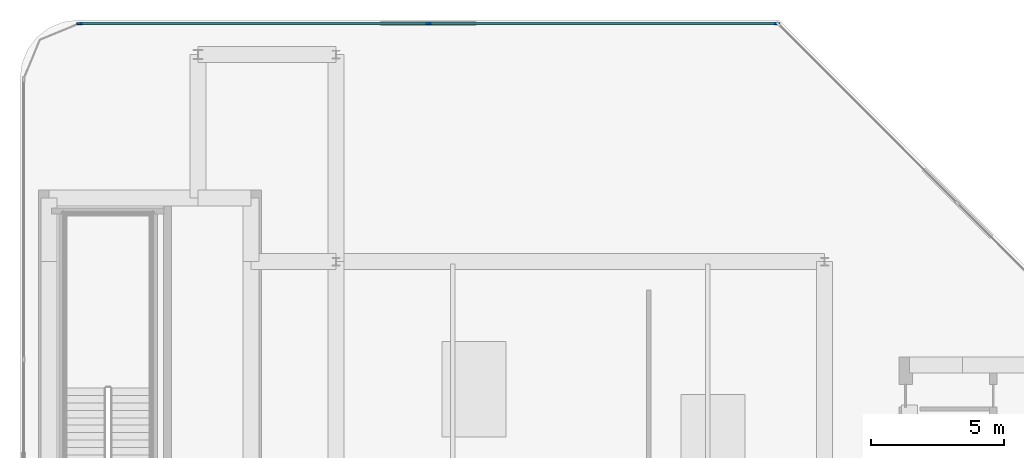
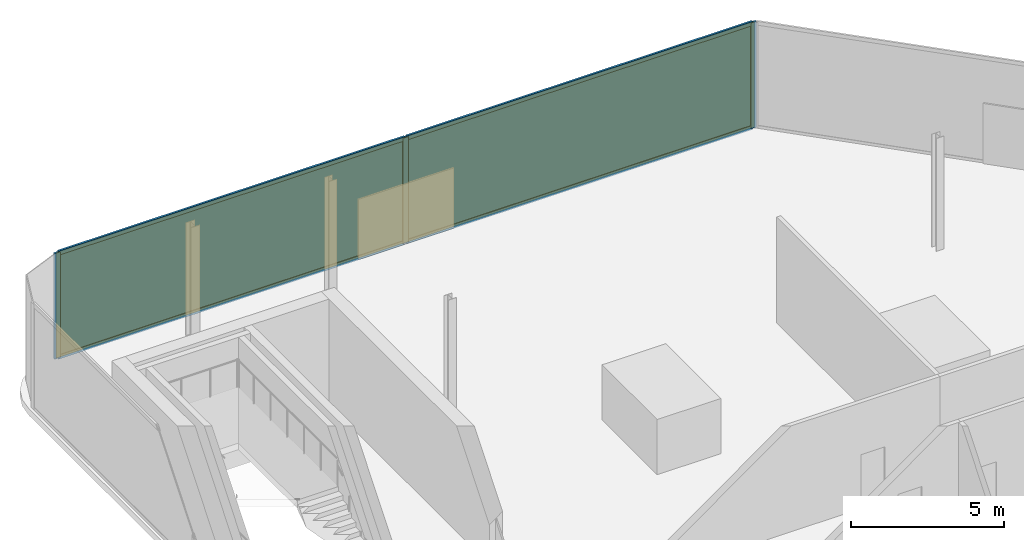
# One storey, part 10 of 15: 7 members, 2 plates, 1 curtain wall.
"""IFC4 building model written with IfcOpenShell, lengths in metres."""

from ifc_helpers import new_model, si_unit, direction, frame, frame_2d, origin, origin_2d, place, context, subcontext, project, spatial, rectangle, extrude, material, layer, layer_set, material_profile, profile_set, type_object, element, aggregate, save


model = new_model("IFC4")

# Units and contexts
model_context = context("Model", 3, precision=1e-05, world=origin(), true_north=direction((0.0, 1.0)))
body_context = subcontext(model_context, "Body", "Model", "MODEL_VIEW")
ifc_project = project(units=[si_unit("LENGTHUNIT", "METRE"), si_unit("AREAUNIT", "SQUARE_METRE"), si_unit("VOLUMEUNIT", "CUBIC_METRE"), si_unit("PLANEANGLEUNIT", "RADIAN"), si_unit("MASSUNIT", "GRAM", prefix="KILO")], contexts=[model_context])

# Member
ifc_material_1 = material(Name="Anodised Bronze Aluminium 6063-T6", Category="aluminium")
ifc_material_profile_1 = material_profile(ifc_material_1, rectangle(XDim=0.074951171875, YDim=0.2099609375, at=origin_2d()))
ifc_profile_set_1 = profile_set([ifc_material_profile_1], Name="Anodised Bronze Aluminium 6063-T6")
member_type_1 = type_object("IfcMemberType", Name="CW-CRN Mullion 75x210", PredefinedType="MULLION", material=ifc_profile_set_1)
site_placement = place(None, origin())
building_placement = place(site_placement, origin())
storey_placement = place(building_placement, frame((0.0, 0.0, 335.0)))
member_1_placement = place(storey_placement, frame((-18.853271484375, 19.760009765625, 0.0), z_axis=(0.0, 0.0, 1.0), x_axis=(0.0, 1.0, 0.0)))
member_1 = element("IfcMember", 1, at=member_1_placement, type_object=member_type_1, Name="CW-CRN mullion 1", PredefinedType="MULLION", context=body_context, shape_type="SweptSolid", body=[
    extrude(rectangle(XDim=0.074951171875, YDim=0.2099609375, at=origin_2d()), origin(), (0.0, 0.0, 1.0), 4.219970703125),
])

member_2_placement = place(storey_placement, frame((-5.724365234375, 19.760009765625, 0.0), z_axis=(0.0, 0.0, 1.0), x_axis=(0.0, 1.0, 0.0)))
member_2 = element("IfcMember", 2, at=member_2_placement, type_object=member_type_1, Name="CW-CRN mullion 2", PredefinedType="MULLION", context=body_context, shape_type="SweptSolid", body=[
    extrude(rectangle(XDim=0.074951171875, YDim=0.2099609375, at=origin_2d()), origin(), (0.0, 0.0, 1.0), 4.219970703125),
])

member_3_placement = place(storey_placement, frame((7.404541015625, 19.760009765625, 0.0), z_axis=(0.0, 0.0, 1.0), x_axis=(0.0, 1.0, 0.0)))
member_3 = element("IfcMember", 3, at=member_3_placement, type_object=member_type_1, Name="CW-CRN mullion 3", PredefinedType="MULLION", context=body_context, shape_type="SweptSolid", body=[
    extrude(rectangle(XDim=0.074951171875, YDim=0.2099609375, at=origin_2d()), origin(), (0.0, 0.0, 1.0), 4.219970703125),
])

ifc_material_2 = material(Name="Anodised Bronze Aluminium 6063-T6", Category="aluminium")
ifc_material_profile_2 = material_profile(ifc_material_2, rectangle(XDim=0.074951171875, YDim=0.1650390625, at=origin_2d()))
ifc_profile_set_2 = profile_set([ifc_material_profile_2], Name="Anodised Bronze Aluminium 6063-T6")
member_type_2 = type_object("IfcMemberType", Name="CW-CRN Transom 75x165", PredefinedType="USERDEFINED", material=ifc_profile_set_2)
member_4_placement = place(storey_placement, frame((-18.81591796875, 19.760009765625, 0.03759765625), z_axis=(1.0, 0.0, 0.0), x_axis=(0.0, 1.0, 0.0)))
member_4 = element("IfcMember", 4, at=member_4_placement, type_object=member_type_2, Name="CW-CRN transom 1.1", ObjectType="TRANSOM", PredefinedType="USERDEFINED", context=body_context, shape_type="SweptSolid", body=[
    extrude(rectangle(XDim=0.074951171875, YDim=0.1650390625, at=origin_2d()), origin(), (0.0, 0.0, 1.0), 13.053955078125),
])

member_5_placement = place(storey_placement, frame((-18.81591796875, 19.760009765625, 4.1826171875), z_axis=(1.0, 0.0, 0.0), x_axis=(0.0, 1.0, 0.0)))
member_5 = element("IfcMember", 5, at=member_5_placement, type_object=member_type_2, Name="CW-CRN transom 1.2", ObjectType="TRANSOM", PredefinedType="USERDEFINED", context=body_context, shape_type="SweptSolid", body=[
    extrude(rectangle(XDim=0.074951171875, YDim=0.1650390625, at=origin_2d()), origin(), (0.0, 0.0, 1.0), 13.053955078125),
])

member_6_placement = place(storey_placement, frame((-5.68701171875, 19.760009765625, 0.03759765625), z_axis=(1.0, 0.0, 0.0), x_axis=(0.0, 1.0, 0.0)))
member_6 = element("IfcMember", 6, at=member_6_placement, type_object=member_type_2, Name="CW-CRN transom 2.1", ObjectType="TRANSOM", PredefinedType="USERDEFINED", context=body_context, shape_type="SweptSolid", body=[
    extrude(rectangle(XDim=0.074951171875, YDim=0.1650390625, at=origin_2d()), origin(), (0.0, 0.0, 1.0), 13.053955078125),
])

member_7_placement = place(storey_placement, frame((-5.68701171875, 19.760009765625, 4.1826171875), z_axis=(1.0, 0.0, 0.0), x_axis=(0.0, 1.0, 0.0)))
member_7 = element("IfcMember", 7, at=member_7_placement, type_object=member_type_2, Name="CW-CRN transom 2.2", ObjectType="TRANSOM", PredefinedType="USERDEFINED", context=body_context, shape_type="SweptSolid", body=[
    extrude(rectangle(XDim=0.074951171875, YDim=0.1650390625, at=origin_2d()), origin(), (0.0, 0.0, 1.0), 13.053955078125),
])

# Plate
ifc_material_3 = material(Name="Low-E Solar Control Laminated Glass", Category="glass")
ifc_layer_1 = layer(ifc_material_3, 0.035888671875, Name="Low-E Solar Control Laminated Glass")
ifc_layer_set_1 = layer_set([ifc_layer_1], Name="Low-E Solar Control Laminated Glass")
plate_type = type_object("IfcPlateType", Name="CW-CRN Low-E Double Glazed Panel 36mm", PredefinedType="CURTAIN_PANEL", material=ifc_layer_set_1)
plate_1_placement = place(storey_placement, frame((-12.288818359375, 19.760009765625, 0.0751953125), z_axis=(0.0, 0.0, 1.0), x_axis=(1.0, 0.0, 0.0)))
plate_1 = element("IfcPlate", 8, at=plate_1_placement, type_object=plate_type, Name="CW-CRN panel 1.1", PredefinedType="CURTAIN_PANEL", context=body_context, shape_type="SweptSolid", body=[
    extrude(rectangle(XDim=13.053955078125, YDim=0.035888671875, at=origin_2d()), origin(), (0.0, 0.0, 1.0), 4.070068359375),
])

plate_2_placement = place(storey_placement, frame((0.840087890625, 19.760009765625, 0.0751953125), z_axis=(0.0, 0.0, 1.0), x_axis=(1.0, 0.0, 0.0)))
plate_2 = element("IfcPlate", 9, at=plate_2_placement, type_object=plate_type, Name="CW-CRN panel 2.1", PredefinedType="CURTAIN_PANEL", context=body_context, shape_type="SweptSolid", body=[
    extrude(rectangle(XDim=13.053955078125, YDim=0.035888671875, at=origin_2d()), origin(), (0.0, 0.0, 1.0), 4.070068359375),
])

# Site, building, storey
site = spatial("IfcSite", under=ifc_project, at=site_placement, CompositionType="ELEMENT")
building = spatial("IfcBuilding", under=site, at=building_placement, Name="Khairoan Windgate Tower", CompositionType="ELEMENT")
storey = spatial("IfcBuildingStorey", under=building, at=storey_placement, Name="L80", CompositionType="ELEMENT", Elevation=335.0)

# Curtain wall
ifc_material_4 = material(Name="Anodised Bronze Aluminium 6063-T6", Category="aluminium")
ifc_layer_2 = layer(ifc_material_4, 0.2099609375, Name="Anodised Bronze Aluminium 6063-T6")
ifc_layer_set_2 = layer_set([ifc_layer_2], Name="Anodised Bronze Aluminium 6063-T6")
curtain_wall_type = type_object("IfcCurtainWallType", Name="Crown Observation and Vitrine Curtain Wall CW-CRN", PredefinedType="NOTDEFINED", material=ifc_layer_set_2)
curtain_wall_placement = place(storey_placement, frame((-18.890869140625, 19.760009765625, 0.0), z_axis=(0.0, 0.0, 1.0), x_axis=(1.0, 0.0, 0.0)))
curtain_wall = element("IfcCurtainWall", 10, at=curtain_wall_placement, inside=storey, type_object=curtain_wall_type, Name="L80 Unitised Curtain Wall 6", PredefinedType="NOTDEFINED", context=body_context, shape_type="SweptSolid", body=[
    extrude(rectangle(XDim=26.332763671875, YDim=0.010009765625, at=frame_2d((13.16650390625, 0.0))), origin(), (0.0, 0.0, 1.0), 4.219970703125),
])

aggregate(curtain_wall, [member_1, member_2, member_3, member_4, member_5, plate_1, member_6, member_7, plate_2])

save(model, "model.ifc")
